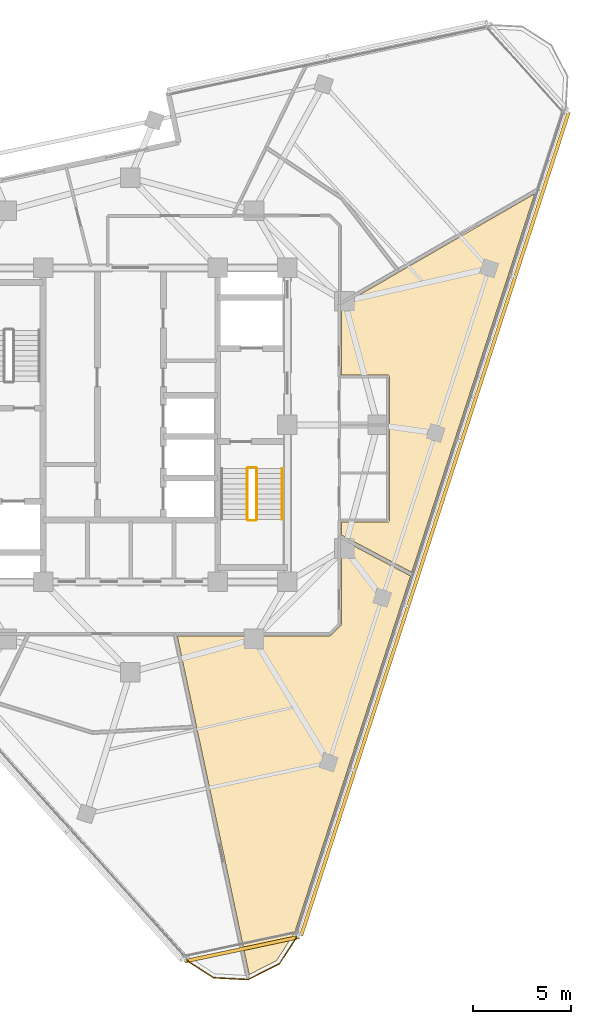
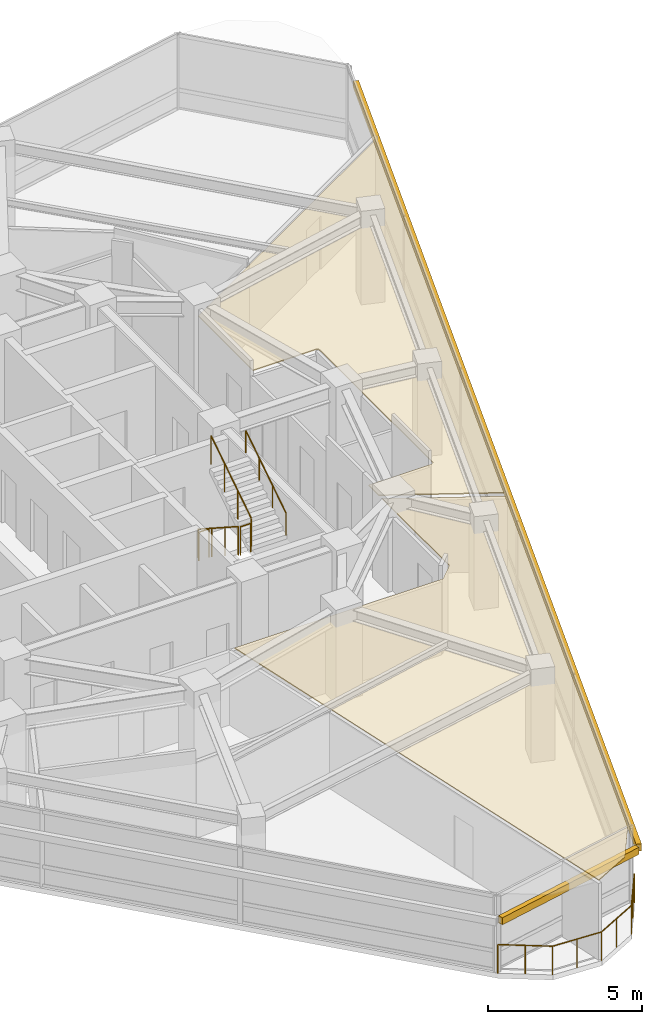
# One storey, part 13 of 15: 6 railings, 2 coverings, 2 shading devices.
"""IFC4 building model written with IfcOpenShell, lengths in metres."""

import ifcopenshell
import ifcopenshell.guid

model = None  # the IFC model being written
_history = None  # IfcOwnerHistory: only IFC2X3 demands one
_inside = {}  # id of a spatial element -> (the spatial element, [elements in it])
_under = {}  # id of a project, library or spatial element -> (it, [spatial elements below it])
_declared = {}  # id of a project -> (the project, [libraries it declares])
_typed = {}  # id of a type object -> (the type object, [elements of that type])
_made_of = {}  # id of a material, layer set ... -> (it, [elements and type objects made of it])


def new_model(schema):
    """Start an empty IFC model of exactly this schema.

    Asked for "IFC4X3", IfcOpenShell would pick the latest addendum, in which some entities
    have other attributes; the version numbers below select the first issue.
    IFC2X3 requires an IfcOwnerHistory on every rooted entity: one is made here for all.
    """
    global model, _history
    if schema == "IFC4X3":
        model = ifcopenshell.file(schema_version=(4, 3, 0, 0))
    else:
        model = ifcopenshell.file(schema=schema)
    _inside.clear()
    _under.clear()
    _declared.clear()
    _typed.clear()
    _made_of.clear()
    _history = None
    if model.schema == "IFC2X3":
        org = make("IfcOrganization", Name="unknown")
        user = make(
            "IfcPersonAndOrganization",
            ThePerson=make("IfcPerson", FamilyName="unknown"),
            TheOrganization=org,
        )
        app = make(
            "IfcApplication",
            ApplicationDeveloper=org,
            Version="unknown",
            ApplicationFullName="unknown",
            ApplicationIdentifier="unknown",
        )
        _history = make(
            "IfcOwnerHistory",
            OwningUser=user,
            OwningApplication=app,
            ChangeAction="ADDED",
            CreationDate=0,
        )
    return model


def make(cls, **values):
    """One entity of the class cls with the attributes given. An attribute that is None is left unset."""
    return model.create_entity(
        cls, **{name: value for name, value in values.items() if value is not None}
    )


def rooted(cls, **values):
    """An entity with a GlobalId (a new one), such as an element, a storey or a relation."""
    return make(cls, GlobalId=ifcopenshell.guid.new(), OwnerHistory=_history, **values)


def si_unit(unit_type, name, prefix=None):
    """IfcSIUnit, for example si_unit("LENGTHUNIT", "METRE", prefix="MILLI")."""
    return make("IfcSIUnit", UnitType=unit_type, Prefix=prefix, Name=name)


def assignment(units):
    """IfcUnitAssignment: the units of a project."""
    return None if units is None else make("IfcUnitAssignment", Units=units)


def point(xyz):
    """IfcCartesianPoint."""
    return None if xyz is None else make("IfcCartesianPoint", Coordinates=xyz)


def direction(xyz):
    """IfcDirection."""
    return None if xyz is None else make("IfcDirection", DirectionRatios=xyz)


def frame(location, z_axis=None, x_axis=None):
    """IfcAxis2Placement3D, a coordinate frame: its origin and axes. An axis left out is left unset."""
    return make(
        "IfcAxis2Placement3D",
        Location=point(location),
        Axis=direction(z_axis),
        RefDirection=direction(x_axis),
    )


def frame_2d(location, x_axis=None):
    """IfcAxis2Placement2D, a coordinate frame in the plane: its origin and x axis."""
    return make(
        "IfcAxis2Placement2D", Location=point(location), RefDirection=direction(x_axis)
    )


def origin():
    """The frame at (0, 0, 0) with its axes left unset."""
    return frame((0.0, 0.0, 0.0))


def origin_2d():
    """The frame at (0, 0) in the plane with its x axis left unset."""
    return frame_2d((0.0, 0.0))


def place(relative_to, where):
    """IfcLocalPlacement: puts the frame where relative to a parent placement (None: the world)."""
    return make(
        "IfcLocalPlacement", PlacementRelTo=relative_to, RelativePlacement=where
    )


def context(
    kind, dimensions, precision=None, world=None, true_north=None, identifier=None
):
    """IfcGeometricRepresentationContext, for example the 3D "Model" context."""
    return make(
        "IfcGeometricRepresentationContext",
        ContextIdentifier=identifier,
        ContextType=kind,
        CoordinateSpaceDimension=dimensions,
        Precision=precision,
        WorldCoordinateSystem=world,
        TrueNorth=true_north,
    )


def subcontext(parent, identifier, kind, view, scale=None):
    """IfcGeometricRepresentationSubContext, for example "Body" below "Model"."""
    return make(
        "IfcGeometricRepresentationSubContext",
        ContextIdentifier=identifier,
        ContextType=kind,
        ParentContext=parent,
        TargetScale=scale,
        TargetView=view,
    )


def project(units=None, contexts=None):
    """IfcProject with its units and contexts."""
    return rooted(
        "IfcProject",
        Name="project",
        RepresentationContexts=contexts,
        UnitsInContext=assignment(units),
    )


def spatial(cls, under=None, at=None, **own):
    """A site, building, storey or space (cls), placed at a placement, below another one or the project."""
    s = rooted(cls, ObjectPlacement=at, **own)
    if under is not None:
        _under.setdefault(under.id(), (under, []))[1].append(s)
    return s


def polyline(points):
    """IfcPolyline through the points."""
    return make("IfcPolyline", Points=[point(p) for p in points])


def profile(cls, at=None, kind="AREA", **sizes):
    """A parametric profile (cls). Its sizes go by their IFC names, for example OverallWidth=200.0."""
    return make(cls, ProfileType=kind, Position=at, **sizes)


def rectangle(**sizes):
    """IfcRectangleProfileDef."""
    return profile("IfcRectangleProfileDef", **sizes)


def circle(**sizes):
    """IfcCircleProfileDef."""
    return profile("IfcCircleProfileDef", **sizes)


def outline(outer, holes=None, kind="AREA"):
    """IfcArbitraryClosedProfileDef: a profile drawn as a closed curve; with holes, ...WithVoids."""
    if holes is None:
        return make("IfcArbitraryClosedProfileDef", ProfileType=kind, OuterCurve=outer)
    return make(
        "IfcArbitraryProfileDefWithVoids",
        ProfileType=kind,
        OuterCurve=outer,
        InnerCurves=holes,
    )


def extrude(swept, where, along, depth):
    """IfcExtrudedAreaSolid: the profile swept, set in the frame where, extruded along a direction by depth."""
    return make(
        "IfcExtrudedAreaSolid",
        SweptArea=swept,
        Position=where,
        ExtrudedDirection=direction(along),
        Depth=depth,
    )


def shape(context_of_items, identifier, shape_type, items):
    """IfcShapeRepresentation: the items that make up one representation, for example the "Body"."""
    return make(
        "IfcShapeRepresentation",
        ContextOfItems=context_of_items,
        RepresentationIdentifier=identifier,
        RepresentationType=shape_type,
        Items=items,
    )


def material(Name=None, Category=None):
    """IfcMaterial."""
    return make("IfcMaterial", Name=Name, Category=Category)


def layer(
    of_material, thickness, ventilated=None, Name=None, Category=None, Priority=None
):
    """IfcMaterialLayer: one layer of a wall or slab, of a material (None: an air gap)."""
    return make(
        "IfcMaterialLayer",
        Material=of_material,
        LayerThickness=thickness,
        IsVentilated=ventilated,
        Name=Name,
        Category=Category,
        Priority=Priority,
    )


def layer_set(layers, Name=None):
    """IfcMaterialLayerSet."""
    return make("IfcMaterialLayerSet", MaterialLayers=layers, LayerSetName=Name)


def made_of(thing, what):
    """Note that an element or type object is made of a material, layer set ...; save() writes the relation."""
    if what is not None:
        _made_of.setdefault(what.id(), (what, []))[1].append(thing)
    return thing


def type_object(cls, material=None, **own):
    """A type object (cls), such as IfcWallType, which elements share."""
    return made_of(rooted(cls, **own), material)


def element(
    cls,
    number,
    at=None,
    inside=None,
    cuts=None,
    type_object=None,
    material=None,
    context=None,
    identifier="Body",
    shape_type=None,
    held_by="IfcProductDefinitionShape",
    body=None,
    shapes=None,
    **own,
):
    """One element of the class cls, such as IfcWall. Its Tag is "e" and its number.

    at: its placement. inside: the storey or other place that contains it. cuts: it is an
    opening in that element (IfcRelVoidsElement). A single representation is given by context,
    identifier, shape_type and body (its items); several are given by shapes. held_by: the class
    of the entity that holds the representations. save() writes the other relations.
    """
    e = rooted(cls, Tag="e%d" % number, ObjectPlacement=at, **own)
    if body is not None:
        shapes = [shape(context, identifier, shape_type, body)]
    if shapes is not None:
        e.Representation = make(held_by, Representations=shapes)
    if inside is not None:
        _inside.setdefault(inside.id(), (inside, []))[1].append(e)
    if cuts is not None:
        rooted(
            "IfcRelVoidsElement", RelatingBuildingElement=cuts, RelatedOpeningElement=e
        )
    if type_object is not None:
        _typed.setdefault(type_object.id(), (type_object, []))[1].append(e)
    return made_of(e, material)


def aggregate(whole, parts):
    """IfcRelAggregates: a whole, such as a stair, and the parts it consists of."""
    return rooted("IfcRelAggregates", RelatingObject=whole, RelatedObjects=parts)


def save(model, path):
    """Write the relations noted so far, then the file.

    IfcRelAggregates (storeys below a building ...), IfcRelContainedInSpatialStructure (elements
    in a storey), IfcRelDefinesByType, IfcRelAssociatesMaterial and IfcRelDeclares: one each for
    every whole, place, type object, material and project.
    """
    for whole, parts in _under.values():
        aggregate(whole, parts)
    for where, things in _inside.values():
        rooted(
            "IfcRelContainedInSpatialStructure",
            RelatedElements=things,
            RelatingStructure=where,
        )
    for kind, things in _typed.values():
        rooted("IfcRelDefinesByType", RelatedObjects=things, RelatingType=kind)
    for what, things in _made_of.values():
        rooted("IfcRelAssociatesMaterial", RelatedObjects=things, RelatingMaterial=what)
    for by, libraries in _declared.values():
        rooted("IfcRelDeclares", RelatingContext=by, RelatedDefinitions=libraries)
    model.write(path)


model = new_model("IFC4")

# Units and contexts
model_context = context("Model", 3, precision=1e-05, world=origin(), true_north=direction((0.0, 1.0)))
body_context = subcontext(model_context, "Body", "Model", "MODEL_VIEW")
ifc_project = project(units=[si_unit("LENGTHUNIT", "METRE"), si_unit("AREAUNIT", "SQUARE_METRE"), si_unit("VOLUMEUNIT", "CUBIC_METRE"), si_unit("PLANEANGLEUNIT", "RADIAN"), si_unit("MASSUNIT", "GRAM", prefix="KILO")], contexts=[model_context])

# Site, building, storey
site_placement = place(None, origin())
site = spatial("IfcSite", under=ifc_project, at=site_placement, CompositionType="ELEMENT")
building_placement = place(site_placement, origin())
building = spatial("IfcBuilding", under=site, at=building_placement, Name="Terralouvre Media Tower", CompositionType="ELEMENT")
storey_placement = place(building_placement, frame((0.0, 0.0, 305.39990234375)))
storey = spatial("IfcBuildingStorey", under=building, at=storey_placement, Name="L79", CompositionType="ELEMENT", Elevation=305.39990234375)

# Coverings
ifc_material_1 = material(Name="Perforated aluminium acoustic ceiling baffle", Category="aluminium")
ifc_layer_1 = layer(ifc_material_1, 0.0400390625, Name="Perforated Acoustic Metal Tile Ceiling CL-AC1")
ifc_layer_set_1 = layer_set([ifc_layer_1], Name="Perforated aluminium acoustic ceiling baffle")
covering_type = type_object("IfcCoveringType", Name="Perforated Acoustic Metal Tile Ceiling CL-AC1", PredefinedType="CEILING", material=ifc_layer_set_1)
covering_1_placement = place(storey_placement, frame((0.0, 0.0, 2.97998046875), z_axis=(0.0, 0.0, 1.0), x_axis=(0.309016994375, 0.951056516295, 0.0)))
element("IfcCovering", 1, at=covering_1_placement, inside=storey, type_object=covering_type, Name="L79 Podcast Host Green Lounge 5 Acoustic Ceiling", PredefinedType="CEILING", context=body_context, shape_type="SweptSolid", body=[
    extrude(outline(polyline([(-6.331298828125, -13.3603515625), (-6.3408203125, -13.363037109375), (-6.350341796875, -13.364501953125), (-6.360107421875, -13.365234375), (-6.3701171875, -13.364990234375), (-6.379638671875, -13.36376953125), (-6.389404296875, -13.361572265625), (-6.398681640625, -13.3583984375), (-6.407470703125, -13.354248046875), (-7.03759765625, -13.033447265625), (-7.046142578125, -13.0283203125), (-7.05419921875, -13.022705078125), (-7.0615234375, -13.016357421875), (-7.068359375, -13.00927734375), (-7.07421875, -13.00146484375), (-7.07958984375, -12.9931640625), (-7.083740234375, -12.984375), (-7.08740234375, -12.97509765625), (-9.486083984375, -5.592529296875), (-13.572998046875, -7.952392578125), (-24.7685546875, -14.4150390625), (-23.666015625, -15.518310546875), (-22.03125, -15.9560546875), (-2.914794921875, -15.95654296875), (-2.22216796875, -12.025146484375), (-6.331298828125, -13.3603515625)])), origin(), (0.0, 0.0, 1.0), 0.0400390625),
])
covering_2_placement = place(storey_placement, frame((0.0, 0.0, 2.97998046875), z_axis=(0.0, 0.0, 1.0), x_axis=(0.309016994375, 0.951056516295, 0.0)))
element("IfcCovering", 2, at=covering_2_placement, inside=storey, type_object=covering_type, Name="L79 Acoustic Listening Study 6 Acoustic Ceiling", PredefinedType="CEILING", context=body_context, shape_type="SweptSolid", body=[
    extrude(outline(polyline([(9.114990234375, -8.341552734375), (5.7470703125, -9.435791015625), (6.473388671875, -11.6708984375), (6.475830078125, -11.680419921875), (6.4775390625, -11.68994140625), (6.478271484375, -11.69970703125), (6.47802734375, -11.709716796875), (6.4765625, -11.71923828125), (6.474365234375, -11.72900390625), (6.471435546875, -11.738037109375), (6.46728515625, -11.7470703125), (6.46240234375, -11.755615234375), (6.456787109375, -11.763671875), (6.4501953125, -11.77099609375), (6.443115234375, -11.77783203125), (6.435302734375, -11.78369140625), (6.427001953125, -11.7890625), (6.418212890625, -11.79345703125), (6.4091796875, -11.796875), (-0.53369140625, -14.052734375), (-0.54296875, -14.05517578125), (-0.552734375, -14.056884765625), (-0.5625, -14.0576171875), (-0.572265625, -14.057373046875), (-0.58203125, -14.055908203125), (-0.591796875, -14.0537109375), (-0.600830078125, -14.05078125), (-0.60986328125, -14.046630859375), (-0.618408203125, -14.041748046875), (-0.62646484375, -14.0361328125), (-0.6337890625, -14.029541015625), (-0.640625, -14.0224609375), (-0.646484375, -14.0146484375), (-0.65185546875, -14.00634765625), (-0.656005859375, -13.99755859375), (-0.65966796875, -13.988525390625), (-1.3857421875, -11.75341796875), (-2.0068359375, -11.955322265625), (-2.711669921875, -15.95654296875), (17.572021484375, -15.956298828125), (11.62890625, -10.60546875), (9.114990234375, -8.341552734375)])), origin(), (0.0, 0.0, 1.0), 0.0400390625),
])

# Railings
ifc_material_2 = material(Name="Stainless steel 316 handrail and balustrade", Category="steel")
ifc_layer_2 = layer(ifc_material_2, 0.06005859375, Name="Roof Edge Safety Guardrail GR-ROOF1")
ifc_layer_set_2 = layer_set([ifc_layer_2], Name="Stainless steel 316 handrail and balustrade")
railing_type_1 = type_object("IfcRailingType", Name="Roof Edge Safety Guardrail GR-ROOF1", PredefinedType="GUARDRAIL", material=ifc_layer_set_2)
railing_1_placement = place(storey_placement, frame((2.738037109375, -27.202880859375, 0.0)))
element("IfcRailing", 3, at=railing_1_placement, inside=storey, type_object=railing_type_1, Name="L79 Wind-Corner Perimeter Safety Guardrail C0", PredefinedType="GUARDRAIL", context=body_context, shape_type="SweptSolid", body=[
    extrude(circle(Radius=0.02099609375, at=origin_2d()), frame((0.0, 0.0, 1.12890625), z_axis=(0.838512544294, -0.544882292849, 0.0), x_axis=(0.544882292849, 0.838512544294, 0.0)), (0.0, 0.0, 1.0), 1.780029296875),
    extrude(circle(Radius=0.02099609375, at=origin_2d()), frame((1.49267578125, -0.969970703125, 1.12890625), z_axis=(0.998626153307, -0.052400438264, 0.0), x_axis=(0.052400438264, 0.998626153307, 0.0)), (0.0, 0.0, 1.0), 1.77978515625),
    extrude(circle(Radius=0.02099609375, at=origin_2d()), frame((3.27001953125, -1.063232421875, 1.12890625), z_axis=(0.890999717441, 0.454003858487, 0.0), x_axis=(-0.454003858487, 0.890999717441, 0.0)), (0.0, 0.0, 1.0), 1.780029296875),
    extrude(circle(Radius=0.02099609375, at=origin_2d()), frame((4.85595703125, -0.255126953125, 1.12890625), z_axis=(0.544371122697, 0.838844491413, 0.0), x_axis=(-0.838844491413, 0.544371122697, 0.0)), (0.0, 0.0, 1.0), 1.780029296875),
    extrude(circle(Radius=0.01904296875, at=origin_2d()), origin(), (0.0, 0.0, 1.0), 1.10791015625),
    extrude(circle(Radius=0.01904296875, at=origin_2d()), frame((0.746337890625, -0.48486328125, 0.0)), (0.0, 0.0, 1.0), 1.10791015625),
    extrude(circle(Radius=0.01904296875, at=origin_2d()), frame((1.49267578125, -0.969970703125, 0.0)), (0.0, 0.0, 1.0), 1.10791015625),
    extrude(circle(Radius=0.01904296875, at=origin_2d()), frame((2.38134765625, -1.0166015625, 0.0)), (0.0, 0.0, 1.0), 1.10791015625),
    extrude(circle(Radius=0.01904296875, at=origin_2d()), frame((3.27001953125, -1.063232421875, 0.0)), (0.0, 0.0, 1.0), 1.10791015625),
    extrude(circle(Radius=0.01904296875, at=origin_2d()), frame((4.06298828125, -0.6591796875, 0.0)), (0.0, 0.0, 1.0), 1.10791015625),
    extrude(circle(Radius=0.01904296875, at=origin_2d()), frame((4.85595703125, -0.255126953125, 0.0)), (0.0, 0.0, 1.0), 1.10791015625),
    extrude(circle(Radius=0.01904296875, at=origin_2d()), frame((5.34033203125, 0.491455078125, 0.0)), (0.0, 0.0, 1.0), 1.10791015625),
    extrude(circle(Radius=0.01904296875, at=origin_2d()), frame((5.824951171875, 1.238037109375, 0.0)), (0.0, 0.0, 1.0), 1.10791015625),
])
ifc_material_3 = material(Name="Stainless steel 316 handrail and balustrade", Category="steel")
ifc_layer_3 = layer(ifc_material_3, 0.050048828125, Name="Stair Flight Wall Handrail HR-INT1")
ifc_layer_set_3 = layer_set([ifc_layer_3], Name="Stainless steel 316 handrail and balustrade")
railing_type_2 = type_object("IfcRailingType", Name="Stair Flight Wall Handrail HR-INT1", PredefinedType="HANDRAIL", material=ifc_layer_set_3)
railing_2_placement = place(storey_placement, frame((7.72998046875, -4.820068359375, 2.018310546875)))
element("IfcRailing", 4, at=railing_2_placement, inside=storey, type_object=railing_type_2, Name="L79 ST-02 stair handrail 2", PredefinedType="HANDRAIL", context=body_context, shape_type="SweptSolid", body=[
    extrude(circle(Radius=0.02392578125, at=origin_2d()), frame((0.0, 0.0, 0.8759765625), z_axis=(0.0, 0.839648411786, 0.543130320075), x_axis=(-1.0, 0.0, 0.0)), (0.0, 0.0, 1.0), 3.0966796875),
    extrude(circle(Radius=0.02099609375, at=origin_2d()), origin(), (0.0, 0.0, 1.0), 0.851806640625),
    extrude(circle(Radius=0.02099609375, at=origin_2d()), frame((0.0, 0.86669921875, 0.560546875)), (0.0, 0.0, 1.0), 0.851806640625),
    extrude(circle(Radius=0.02099609375, at=origin_2d()), frame((0.0, 1.7333984375, 1.121337890625)), (0.0, 0.0, 1.0), 0.851806640625),
    extrude(circle(Radius=0.02099609375, at=origin_2d()), frame((0.0, 2.60009765625, 1.681884765625)), (0.0, 0.0, 1.0), 0.851806640625),
])
ifc_material_4 = material(Name="Stainless steel 316 handrail and balustrade", Category="steel")
ifc_layer_4 = layer(ifc_material_4, 0.050048828125, Name="Stairwell Safety Guardrail GR-INT1")
ifc_layer_set_4 = layer_set([ifc_layer_4], Name="Stainless steel 316 handrail and balustrade")
railing_type_3 = type_object("IfcRailingType", Name="Stairwell Safety Guardrail GR-INT1", PredefinedType="GUARDRAIL", material=ifc_layer_set_4)
railing_3_placement = place(storey_placement, frame((5.949951171875, -2.219970703125, 0.168212890625)))
element("IfcRailing", 5, at=railing_3_placement, inside=storey, type_object=railing_type_3, Name="L79 ST-02 stair guard 1", PredefinedType="GUARDRAIL", context=body_context, shape_type="SweptSolid", body=[
    extrude(circle(Radius=0.02392578125, at=origin_2d()), frame((0.0, 0.0, 1.1259765625), z_axis=(0.0, -0.839648411786, 0.543130320075), x_axis=(1.0, 0.0, 0.0)), (0.0, 0.0, 1.0), 3.0966796875),
    extrude(circle(Radius=0.02099609375, at=origin_2d()), origin(), (0.0, 0.0, 1.0), 1.101806640625),
    extrude(circle(Radius=0.02099609375, at=origin_2d()), frame((0.0, -0.86669921875, 0.560546875)), (0.0, 0.0, 1.0), 1.101806640625),
    extrude(circle(Radius=0.02099609375, at=origin_2d()), frame((0.0, -1.7333984375, 1.121337890625)), (0.0, 0.0, 1.0), 1.101806640625),
    extrude(circle(Radius=0.02099609375, at=origin_2d()), frame((0.0, -2.60009765625, 1.681884765625)), (0.0, 0.0, 1.0), 1.101806640625),
])
railing_4_placement = place(storey_placement, frame((6.0, -4.8701171875, 1.85009765625)))
element("IfcRailing", 6, at=railing_4_placement, inside=storey, type_object=railing_type_3, Name="L79 ST-02 stair guard 2", PredefinedType="GUARDRAIL", context=body_context, shape_type="SweptSolid", body=[
    extrude(circle(Radius=0.02392578125, at=origin_2d()), frame((0.0, 0.0, 1.1259765625), z_axis=(1.0, 0.0, 0.0), x_axis=(0.0, 1.0, 0.0)), (0.0, 0.0, 1.0), 0.3798828125),
    extrude(circle(Radius=0.02099609375, at=origin_2d()), origin(), (0.0, 0.0, 1.0), 1.101806640625),
    extrude(circle(Radius=0.02099609375, at=origin_2d()), frame((0.3798828125, 0.0, 0.0)), (0.0, 0.0, 1.0), 1.101806640625),
])
railing_5_placement = place(storey_placement, frame((6.429931640625, -4.820068359375, 2.018310546875)))
element("IfcRailing", 7, at=railing_5_placement, inside=storey, type_object=railing_type_3, Name="L79 ST-02 stair guard 3", PredefinedType="GUARDRAIL", context=body_context, shape_type="SweptSolid", body=[
    extrude(circle(Radius=0.02392578125, at=origin_2d()), frame((0.0, 0.0, 1.1259765625), z_axis=(0.0, 0.839648411786, 0.543130320075), x_axis=(-1.0, 0.0, 0.0)), (0.0, 0.0, 1.0), 3.0966796875),
    extrude(circle(Radius=0.02099609375, at=origin_2d()), origin(), (0.0, 0.0, 1.0), 1.101806640625),
    extrude(circle(Radius=0.02099609375, at=origin_2d()), frame((0.0, 0.86669921875, 0.560546875)), (0.0, 0.0, 1.0), 1.101806640625),
    extrude(circle(Radius=0.02099609375, at=origin_2d()), frame((0.0, 1.7333984375, 1.121337890625)), (0.0, 0.0, 1.0), 1.101806640625),
    extrude(circle(Radius=0.02099609375, at=origin_2d()), frame((0.0, 2.60009765625, 1.681884765625)), (0.0, 0.0, 1.0), 1.101806640625),
])
railing_6_placement = place(storey_placement, frame((6.0, -2.169921875, 0.0)))
element("IfcRailing", 8, at=railing_6_placement, inside=storey, type_object=railing_type_3, Name="L79 ST-02 stair guard 4", PredefinedType="GUARDRAIL", context=body_context, shape_type="SweptSolid", body=[
    extrude(circle(Radius=0.02392578125, at=origin_2d()), frame((0.0, 0.0, 1.1259765625), z_axis=(1.0, 0.0, 0.0), x_axis=(0.0, 1.0, 0.0)), (0.0, 0.0, 1.0), 0.3798828125),
    extrude(circle(Radius=0.02099609375, at=origin_2d()), origin(), (0.0, 0.0, 1.0), 1.101806640625),
    extrude(circle(Radius=0.02099609375, at=origin_2d()), frame((0.3798828125, 0.0, 0.0)), (0.0, 0.0, 1.0), 1.101806640625),
])

# Shading devices
ifc_material_5 = material(Name="Extruded terracotta baguette sunshade louvres", Category="masonry")
shading_device_type = type_object("IfcShadingDeviceType", Name="Terracotta Baguette Sunshade Louvre Screen TB-LV1", PredefinedType="USERDEFINED", material=ifc_material_5)
shading_device_1_placement = place(storey_placement, frame((15.517822265625, -5.0419921875, 2.02392578125), z_axis=(0.0, 0.0, 1.0), x_axis=(0.309017021946, 0.951056507337, 0.0)))
element("IfcShadingDevice", 9, at=shading_device_1_placement, inside=storey, type_object=shading_device_type, Name="CW-L79-F0 Terracotta Baguette Sunshade Louvre", ObjectType="BAGUETTE", PredefinedType="USERDEFINED", context=body_context, shape_type="SweptSolid", body=[
    extrude(rectangle(XDim=44.1201171875, YDim=0.179931640625, at=origin_2d()), origin(), (0.0, 0.0, 1.0), 0.280029296875),
])
shading_device_2_placement = place(storey_placement, frame((5.6787109375, -26.7158203125, 2.02392578125), z_axis=(0.0, 0.0, 1.0), x_axis=(0.978147609922, 0.207911647592, 0.0)))
element("IfcShadingDevice", 10, at=shading_device_2_placement, inside=storey, type_object=shading_device_type, Name="CW-L79-C0 Terracotta Baguette Sunshade Louvre", ObjectType="BAGUETTE", PredefinedType="USERDEFINED", context=body_context, shape_type="SweptSolid", body=[
    extrude(rectangle(XDim=5.958251953125, YDim=0.179931640625, at=origin_2d()), origin(), (0.0, 0.0, 1.0), 0.280029296875),
])

save(model, "model.ifc")
